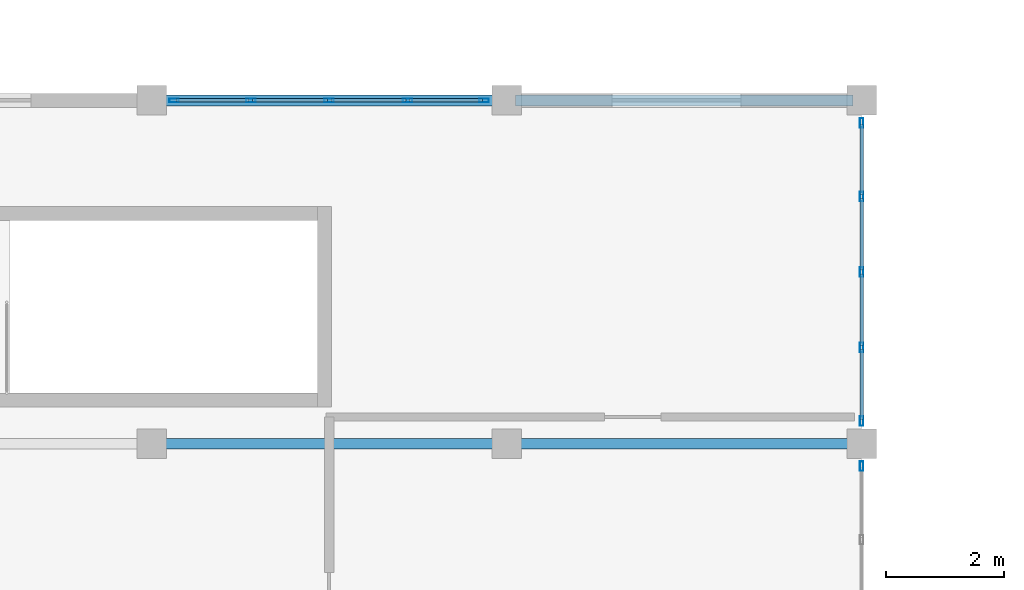
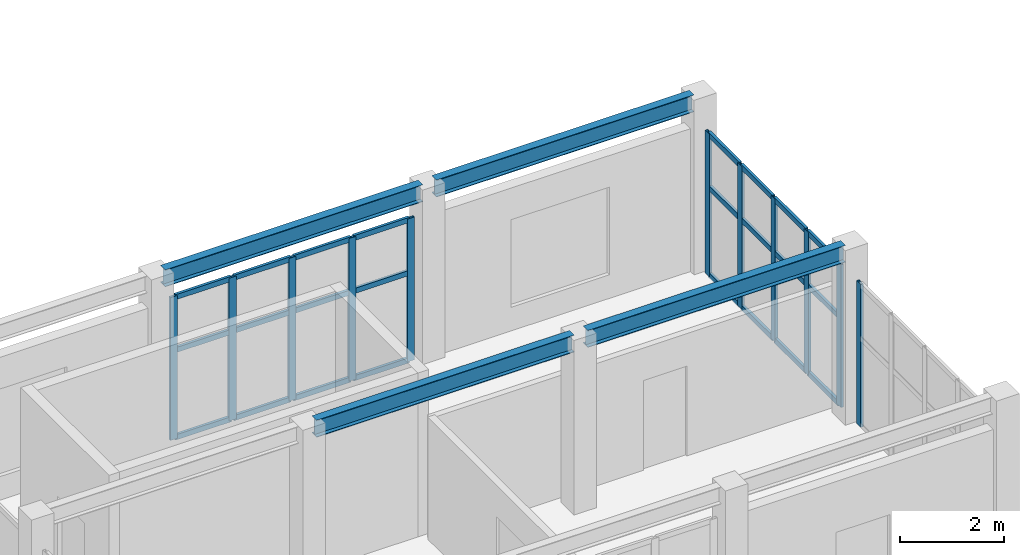
# One storey, part 26 of 128: 35 members, 4 beams, 3 elements without a shape of their own.
"""IFC4 building model written with IfcOpenShell, lengths in metres."""

from ifc_helpers import new_model, si_unit, direction, frame, origin, origin_2d, place, context, subcontext, project, spatial, hollow_rectangle, i_section, extrude, material, material_profile, profile_set, type_object, element, aggregate, save


model = new_model("IFC4")

# Units and contexts
model_context = context("Model", 3, precision=1e-05, world=origin(), true_north=direction((0.0, 1.0)))
body_context = subcontext(model_context, "Body", "Model", "MODEL_VIEW")
ifc_project = project(units=[si_unit("LENGTHUNIT", "METRE"), si_unit("AREAUNIT", "SQUARE_METRE"), si_unit("VOLUMEUNIT", "CUBIC_METRE"), si_unit("PLANEANGLEUNIT", "RADIAN"), si_unit("MASSUNIT", "GRAM", prefix="KILO")], contexts=[model_context])

# Site, building, storey
site_placement = place(None, origin())
site = spatial("IfcSite", under=ifc_project, at=site_placement, CompositionType="ELEMENT")
building_placement = place(site_placement, origin())
building = spatial("IfcBuilding", under=site, at=building_placement, Name="Tanwirah Colonnade Gardens", CompositionType="ELEMENT")
storey_placement = place(building_placement, frame((0.0, 0.0, 4.760009765625)))
storey = spatial("IfcBuildingStorey", under=building, at=storey_placement, Name="L01", CompositionType="ELEMENT", Elevation=4.760009765625)

# Curtain wall, members
ifc_material_1 = material(Name="Bronze-anodised aluminium and solar-control low-E glass", Category="aluminium")
curtain_wall_type = type_object("IfcCurtainWallType", Name="CW-SHP", PredefinedType="NOTDEFINED", material=ifc_material_1)
curtain_wall_1_placement = place(storey_placement, origin())
curtain_wall_1 = element("IfcCurtainWall", 1, at=curtain_wall_1_placement, inside=storey, type_object=curtain_wall_type, Name="Curtain Wall CW-SHP-E-L01-N-1", PredefinedType="NOTDEFINED")
ifc_material_2 = material(Name="Bronze-anodised aluminium", Category="aluminium")
ifc_material_profile_1 = material_profile(ifc_material_2, hollow_rectangle(XDim=0.06005859375, YDim=0.159912109375, WallThickness=0.00390625, at=origin_2d()), Name="CW-MUL 60x160x4")
ifc_profile_set_1 = profile_set([ifc_material_profile_1], Name="Bronze-anodised aluminium")
member_type_1 = type_object("IfcMemberType", Name="CWM-60x160", PredefinedType="MULLION", material=ifc_profile_set_1)
member_1_placement = place(storey_placement, frame((108.3798828125, 28.199951171875, 0.0), z_axis=(0.0, 0.0, 1.0), x_axis=(0.0, 1.0, 0.0)))
member_1 = element("IfcMember", 2, at=member_1_placement, type_object=member_type_1, Name="CW-SHP mullion 1", PredefinedType="MULLION", context=body_context, shape_type="SweptSolid", body=[
    extrude(hollow_rectangle(XDim=0.06005859375, YDim=0.159912109375, WallThickness=0.00390625, at=origin_2d()), origin(), (0.0, 0.0, 1.0), 3.340087890625),
])
member_2_placement = place(storey_placement, frame((109.675048828125, 28.199951171875, 0.0), z_axis=(0.0, 0.0, 1.0), x_axis=(0.0, 1.0, 0.0)))
member_2 = element("IfcMember", 3, at=member_2_placement, type_object=member_type_1, Name="CW-SHP mullion 2", PredefinedType="MULLION", context=body_context, shape_type="SweptSolid", body=[
    extrude(hollow_rectangle(XDim=0.06005859375, YDim=0.159912109375, WallThickness=0.00390625, at=origin_2d()), origin(), (0.0, 0.0, 1.0), 3.340087890625),
])
member_3_placement = place(storey_placement, frame((111.0, 28.199951171875, 0.0), z_axis=(0.0, 0.0, 1.0), x_axis=(0.0, 1.0, 0.0)))
member_3 = element("IfcMember", 4, at=member_3_placement, type_object=member_type_1, Name="CW-SHP mullion 3", PredefinedType="MULLION", context=body_context, shape_type="SweptSolid", body=[
    extrude(hollow_rectangle(XDim=0.06005859375, YDim=0.159912109375, WallThickness=0.00390625, at=origin_2d()), origin(), (0.0, 0.0, 1.0), 3.340087890625),
])
member_4_placement = place(storey_placement, frame((112.324951171875, 28.199951171875, 0.0), z_axis=(0.0, 0.0, 1.0), x_axis=(0.0, 1.0, 0.0)))
member_4 = element("IfcMember", 5, at=member_4_placement, type_object=member_type_1, Name="CW-SHP mullion 4", PredefinedType="MULLION", context=body_context, shape_type="SweptSolid", body=[
    extrude(hollow_rectangle(XDim=0.06005859375, YDim=0.159912109375, WallThickness=0.00390625, at=origin_2d()), origin(), (0.0, 0.0, 1.0), 3.340087890625),
])
member_5_placement = place(storey_placement, frame((113.6201171875, 28.199951171875, 0.0), z_axis=(0.0, 0.0, 1.0), x_axis=(0.0, 1.0, 0.0)))
member_5 = element("IfcMember", 6, at=member_5_placement, type_object=member_type_1, Name="CW-SHP mullion 5", PredefinedType="MULLION", context=body_context, shape_type="SweptSolid", body=[
    extrude(hollow_rectangle(XDim=0.06005859375, YDim=0.159912109375, WallThickness=0.00390625, at=origin_2d()), origin(), (0.0, 0.0, 1.0), 3.340087890625),
])

# Curtain wall, member
curtain_wall_2_placement = place(storey_placement, origin())
curtain_wall_2 = element("IfcCurtainWall", 7, at=curtain_wall_2_placement, inside=storey, type_object=curtain_wall_type, Name="Curtain Wall CW-SHP-E-L01-E-1", PredefinedType="NOTDEFINED")
member_6_placement = place(storey_placement, frame((120.0, 22.02001953125, 0.0), z_axis=(0.0, 0.0, 1.0), x_axis=(-1.0, 0.0, 0.0)))
member_6 = element("IfcMember", 8, at=member_6_placement, type_object=member_type_1, Name="CW-SHP mullion 5", PredefinedType="MULLION", context=body_context, shape_type="SweptSolid", body=[
    extrude(hollow_rectangle(XDim=0.06005859375, YDim=0.159912109375, WallThickness=0.00390625, at=origin_2d()), origin(), (0.0, 0.0, 1.0), 3.340087890625),
])
aggregate(curtain_wall_2, [member_6])

# Curtain wall, members
curtain_wall_3_placement = place(storey_placement, origin())
curtain_wall_3 = element("IfcCurtainWall", 9, at=curtain_wall_3_placement, inside=storey, type_object=curtain_wall_type, Name="Curtain Wall CW-SHP-E-L01-E-2", PredefinedType="NOTDEFINED")
member_7_placement = place(storey_placement, frame((120.0, 22.780029296875, 0.0), z_axis=(0.0, 0.0, 1.0), x_axis=(-1.0, 0.0, 0.0)))
member_7 = element("IfcMember", 10, at=member_7_placement, type_object=member_type_1, Name="CW-SHP mullion 1", PredefinedType="MULLION", context=body_context, shape_type="SweptSolid", body=[
    extrude(hollow_rectangle(XDim=0.06005859375, YDim=0.159912109375, WallThickness=0.00390625, at=origin_2d()), origin(), (0.0, 0.0, 1.0), 3.340087890625),
])
member_8_placement = place(storey_placement, frame((120.0, 24.02490234375, 0.0), z_axis=(0.0, 0.0, 1.0), x_axis=(-1.0, 0.0, 0.0)))
member_8 = element("IfcMember", 11, at=member_8_placement, type_object=member_type_1, Name="CW-SHP mullion 2", PredefinedType="MULLION", context=body_context, shape_type="SweptSolid", body=[
    extrude(hollow_rectangle(XDim=0.06005859375, YDim=0.159912109375, WallThickness=0.00390625, at=origin_2d()), origin(), (0.0, 0.0, 1.0), 3.340087890625),
])
member_9_placement = place(storey_placement, frame((120.0, 25.300048828125, 0.0), z_axis=(0.0, 0.0, 1.0), x_axis=(-1.0, 0.0, 0.0)))
member_9 = element("IfcMember", 12, at=member_9_placement, type_object=member_type_1, Name="CW-SHP mullion 3", PredefinedType="MULLION", context=body_context, shape_type="SweptSolid", body=[
    extrude(hollow_rectangle(XDim=0.06005859375, YDim=0.159912109375, WallThickness=0.00390625, at=origin_2d()), origin(), (0.0, 0.0, 1.0), 3.340087890625),
])
member_10_placement = place(storey_placement, frame((120.0, 26.574951171875, 0.0), z_axis=(0.0, 0.0, 1.0), x_axis=(-1.0, 0.0, 0.0)))
member_10 = element("IfcMember", 13, at=member_10_placement, type_object=member_type_1, Name="CW-SHP mullion 4", PredefinedType="MULLION", context=body_context, shape_type="SweptSolid", body=[
    extrude(hollow_rectangle(XDim=0.06005859375, YDim=0.159912109375, WallThickness=0.00390625, at=origin_2d()), origin(), (0.0, 0.0, 1.0), 3.340087890625),
])
member_11_placement = place(storey_placement, frame((120.0, 27.820068359375, 0.0), z_axis=(0.0, 0.0, 1.0), x_axis=(-1.0, 0.0, 0.0)))
member_11 = element("IfcMember", 14, at=member_11_placement, type_object=member_type_1, Name="CW-SHP mullion 5", PredefinedType="MULLION", context=body_context, shape_type="SweptSolid", body=[
    extrude(hollow_rectangle(XDim=0.06005859375, YDim=0.159912109375, WallThickness=0.00390625, at=origin_2d()), origin(), (0.0, 0.0, 1.0), 3.340087890625),
])

# Member
ifc_material_profile_2 = material_profile(ifc_material_2, hollow_rectangle(XDim=0.06005859375, YDim=0.1201171875, WallThickness=0.00390625, at=origin_2d()), Name="CW-TRN 60x120x4")
ifc_profile_set_2 = profile_set([ifc_material_profile_2], Name="Bronze-anodised aluminium")
member_type_2 = type_object("IfcMemberType", Name="CWT-60x120", PredefinedType="USERDEFINED", material=ifc_profile_set_2)
member_12_placement = place(storey_placement, frame((108.409912109375, 28.199951171875, 0.030029296875), z_axis=(1.0, 0.0, 0.0), x_axis=(0.0, 1.0, 0.0)))
member_12 = element("IfcMember", 15, at=member_12_placement, type_object=member_type_2, Name="CW-SHP transom 1.1", ObjectType="TRANSOM", PredefinedType="USERDEFINED", context=body_context, shape_type="SweptSolid", body=[
    extrude(hollow_rectangle(XDim=0.06005859375, YDim=0.1201171875, WallThickness=0.00390625, at=origin_2d()), origin(), (0.0, 0.0, 1.0), 1.235107421875),
])

member_13_placement = place(storey_placement, frame((108.409912109375, 28.199951171875, 2.07080078125), z_axis=(1.0, 0.0, 0.0), x_axis=(0.0, 1.0, 0.0)))
member_13 = element("IfcMember", 16, at=member_13_placement, type_object=member_type_2, Name="CW-SHP transom 1.2", ObjectType="TRANSOM", PredefinedType="USERDEFINED", context=body_context, shape_type="SweptSolid", body=[
    extrude(hollow_rectangle(XDim=0.06005859375, YDim=0.1201171875, WallThickness=0.00390625, at=origin_2d()), origin(), (0.0, 0.0, 1.0), 1.235107421875),
])

member_14_placement = place(storey_placement, frame((108.409912109375, 28.199951171875, 3.31005859375), z_axis=(1.0, 0.0, 0.0), x_axis=(0.0, 1.0, 0.0)))
member_14 = element("IfcMember", 17, at=member_14_placement, type_object=member_type_2, Name="CW-SHP transom 1.3", ObjectType="TRANSOM", PredefinedType="USERDEFINED", context=body_context, shape_type="SweptSolid", body=[
    extrude(hollow_rectangle(XDim=0.06005859375, YDim=0.1201171875, WallThickness=0.00390625, at=origin_2d()), origin(), (0.0, 0.0, 1.0), 1.235107421875),
])

member_15_placement = place(storey_placement, frame((109.705078125, 28.199951171875, 0.030029296875), z_axis=(1.0, 0.0, 0.0), x_axis=(0.0, 1.0, 0.0)))
member_15 = element("IfcMember", 18, at=member_15_placement, type_object=member_type_2, Name="CW-SHP transom 2.1", ObjectType="TRANSOM", PredefinedType="USERDEFINED", context=body_context, shape_type="SweptSolid", body=[
    extrude(hollow_rectangle(XDim=0.06005859375, YDim=0.1201171875, WallThickness=0.00390625, at=origin_2d()), origin(), (0.0, 0.0, 1.0), 1.264892578125),
])

member_16_placement = place(storey_placement, frame((109.705078125, 28.199951171875, 2.07080078125), z_axis=(1.0, 0.0, 0.0), x_axis=(0.0, 1.0, 0.0)))
member_16 = element("IfcMember", 19, at=member_16_placement, type_object=member_type_2, Name="CW-SHP transom 2.2", ObjectType="TRANSOM", PredefinedType="USERDEFINED", context=body_context, shape_type="SweptSolid", body=[
    extrude(hollow_rectangle(XDim=0.06005859375, YDim=0.1201171875, WallThickness=0.00390625, at=origin_2d()), origin(), (0.0, 0.0, 1.0), 1.264892578125),
])

member_17_placement = place(storey_placement, frame((109.705078125, 28.199951171875, 3.31005859375), z_axis=(1.0, 0.0, 0.0), x_axis=(0.0, 1.0, 0.0)))
member_17 = element("IfcMember", 20, at=member_17_placement, type_object=member_type_2, Name="CW-SHP transom 2.3", ObjectType="TRANSOM", PredefinedType="USERDEFINED", context=body_context, shape_type="SweptSolid", body=[
    extrude(hollow_rectangle(XDim=0.06005859375, YDim=0.1201171875, WallThickness=0.00390625, at=origin_2d()), origin(), (0.0, 0.0, 1.0), 1.264892578125),
])

member_18_placement = place(storey_placement, frame((111.030029296875, 28.199951171875, 0.030029296875), z_axis=(1.0, 0.0, 0.0), x_axis=(0.0, 1.0, 0.0)))
member_18 = element("IfcMember", 21, at=member_18_placement, type_object=member_type_2, Name="CW-SHP transom 3.1", ObjectType="TRANSOM", PredefinedType="USERDEFINED", context=body_context, shape_type="SweptSolid", body=[
    extrude(hollow_rectangle(XDim=0.06005859375, YDim=0.1201171875, WallThickness=0.00390625, at=origin_2d()), origin(), (0.0, 0.0, 1.0), 1.264892578125),
])

member_19_placement = place(storey_placement, frame((111.030029296875, 28.199951171875, 2.07080078125), z_axis=(1.0, 0.0, 0.0), x_axis=(0.0, 1.0, 0.0)))
member_19 = element("IfcMember", 22, at=member_19_placement, type_object=member_type_2, Name="CW-SHP transom 3.2", ObjectType="TRANSOM", PredefinedType="USERDEFINED", context=body_context, shape_type="SweptSolid", body=[
    extrude(hollow_rectangle(XDim=0.06005859375, YDim=0.1201171875, WallThickness=0.00390625, at=origin_2d()), origin(), (0.0, 0.0, 1.0), 1.264892578125),
])

member_20_placement = place(storey_placement, frame((111.030029296875, 28.199951171875, 3.31005859375), z_axis=(1.0, 0.0, 0.0), x_axis=(0.0, 1.0, 0.0)))
member_20 = element("IfcMember", 23, at=member_20_placement, type_object=member_type_2, Name="CW-SHP transom 3.3", ObjectType="TRANSOM", PredefinedType="USERDEFINED", context=body_context, shape_type="SweptSolid", body=[
    extrude(hollow_rectangle(XDim=0.06005859375, YDim=0.1201171875, WallThickness=0.00390625, at=origin_2d()), origin(), (0.0, 0.0, 1.0), 1.264892578125),
])

member_21_placement = place(storey_placement, frame((112.35498046875, 28.199951171875, 0.030029296875), z_axis=(1.0, 0.0, 0.0), x_axis=(0.0, 1.0, 0.0)))
member_21 = element("IfcMember", 24, at=member_21_placement, type_object=member_type_2, Name="CW-SHP transom 4.1", ObjectType="TRANSOM", PredefinedType="USERDEFINED", context=body_context, shape_type="SweptSolid", body=[
    extrude(hollow_rectangle(XDim=0.06005859375, YDim=0.1201171875, WallThickness=0.00390625, at=origin_2d()), origin(), (0.0, 0.0, 1.0), 1.235107421875),
])

member_22_placement = place(storey_placement, frame((112.35498046875, 28.199951171875, 2.07080078125), z_axis=(1.0, 0.0, 0.0), x_axis=(0.0, 1.0, 0.0)))
member_22 = element("IfcMember", 25, at=member_22_placement, type_object=member_type_2, Name="CW-SHP transom 4.2", ObjectType="TRANSOM", PredefinedType="USERDEFINED", context=body_context, shape_type="SweptSolid", body=[
    extrude(hollow_rectangle(XDim=0.06005859375, YDim=0.1201171875, WallThickness=0.00390625, at=origin_2d()), origin(), (0.0, 0.0, 1.0), 1.235107421875),
])

member_23_placement = place(storey_placement, frame((112.35498046875, 28.199951171875, 3.31005859375), z_axis=(1.0, 0.0, 0.0), x_axis=(0.0, 1.0, 0.0)))
member_23 = element("IfcMember", 26, at=member_23_placement, type_object=member_type_2, Name="CW-SHP transom 4.3", ObjectType="TRANSOM", PredefinedType="USERDEFINED", context=body_context, shape_type="SweptSolid", body=[
    extrude(hollow_rectangle(XDim=0.06005859375, YDim=0.1201171875, WallThickness=0.00390625, at=origin_2d()), origin(), (0.0, 0.0, 1.0), 1.235107421875),
])

aggregate(curtain_wall_1, [member_1, member_2, member_3, member_4, member_5, member_12, member_13, member_14, member_15, member_16, member_17, member_18, member_19, member_20, member_21, member_22, member_23])

member_24_placement = place(storey_placement, frame((120.0, 22.81005859375, 0.030029296875), z_axis=(0.0, 1.0, 0.0), x_axis=(-1.0, 0.0, 0.0)))
member_24 = element("IfcMember", 27, at=member_24_placement, type_object=member_type_2, Name="CW-SHP transom 1.1", ObjectType="TRANSOM", PredefinedType="USERDEFINED", context=body_context, shape_type="SweptSolid", body=[
    extrude(hollow_rectangle(XDim=0.06005859375, YDim=0.1201171875, WallThickness=0.00390625, at=origin_2d()), origin(), (0.0, 0.0, 1.0), 1.18505859375),
])

member_25_placement = place(storey_placement, frame((120.0, 22.81005859375, 2.07080078125), z_axis=(0.0, 1.0, 0.0), x_axis=(-1.0, 0.0, 0.0)))
member_25 = element("IfcMember", 28, at=member_25_placement, type_object=member_type_2, Name="CW-SHP transom 1.2", ObjectType="TRANSOM", PredefinedType="USERDEFINED", context=body_context, shape_type="SweptSolid", body=[
    extrude(hollow_rectangle(XDim=0.06005859375, YDim=0.1201171875, WallThickness=0.00390625, at=origin_2d()), origin(), (0.0, 0.0, 1.0), 1.18505859375),
])

member_26_placement = place(storey_placement, frame((120.0, 22.81005859375, 3.31005859375), z_axis=(0.0, 1.0, 0.0), x_axis=(-1.0, 0.0, 0.0)))
member_26 = element("IfcMember", 29, at=member_26_placement, type_object=member_type_2, Name="CW-SHP transom 1.3", ObjectType="TRANSOM", PredefinedType="USERDEFINED", context=body_context, shape_type="SweptSolid", body=[
    extrude(hollow_rectangle(XDim=0.06005859375, YDim=0.1201171875, WallThickness=0.00390625, at=origin_2d()), origin(), (0.0, 0.0, 1.0), 1.18505859375),
])

member_27_placement = place(storey_placement, frame((120.0, 24.054931640625, 0.030029296875), z_axis=(0.0, 1.0, 0.0), x_axis=(-1.0, 0.0, 0.0)))
member_27 = element("IfcMember", 30, at=member_27_placement, type_object=member_type_2, Name="CW-SHP transom 2.1", ObjectType="TRANSOM", PredefinedType="USERDEFINED", context=body_context, shape_type="SweptSolid", body=[
    extrude(hollow_rectangle(XDim=0.06005859375, YDim=0.1201171875, WallThickness=0.00390625, at=origin_2d()), origin(), (0.0, 0.0, 1.0), 1.215087890625),
])

member_28_placement = place(storey_placement, frame((120.0, 24.054931640625, 2.07080078125), z_axis=(0.0, 1.0, 0.0), x_axis=(-1.0, 0.0, 0.0)))
member_28 = element("IfcMember", 31, at=member_28_placement, type_object=member_type_2, Name="CW-SHP transom 2.2", ObjectType="TRANSOM", PredefinedType="USERDEFINED", context=body_context, shape_type="SweptSolid", body=[
    extrude(hollow_rectangle(XDim=0.06005859375, YDim=0.1201171875, WallThickness=0.00390625, at=origin_2d()), origin(), (0.0, 0.0, 1.0), 1.215087890625),
])

member_29_placement = place(storey_placement, frame((120.0, 24.054931640625, 3.31005859375), z_axis=(0.0, 1.0, 0.0), x_axis=(-1.0, 0.0, 0.0)))
member_29 = element("IfcMember", 32, at=member_29_placement, type_object=member_type_2, Name="CW-SHP transom 2.3", ObjectType="TRANSOM", PredefinedType="USERDEFINED", context=body_context, shape_type="SweptSolid", body=[
    extrude(hollow_rectangle(XDim=0.06005859375, YDim=0.1201171875, WallThickness=0.00390625, at=origin_2d()), origin(), (0.0, 0.0, 1.0), 1.215087890625),
])

member_30_placement = place(storey_placement, frame((120.0, 25.330078125, 0.030029296875), z_axis=(0.0, 1.0, 0.0), x_axis=(-1.0, 0.0, 0.0)))
member_30 = element("IfcMember", 33, at=member_30_placement, type_object=member_type_2, Name="CW-SHP transom 3.1", ObjectType="TRANSOM", PredefinedType="USERDEFINED", context=body_context, shape_type="SweptSolid", body=[
    extrude(hollow_rectangle(XDim=0.06005859375, YDim=0.1201171875, WallThickness=0.00390625, at=origin_2d()), origin(), (0.0, 0.0, 1.0), 1.21484375),
])

member_31_placement = place(storey_placement, frame((120.0, 25.330078125, 2.07080078125), z_axis=(0.0, 1.0, 0.0), x_axis=(-1.0, 0.0, 0.0)))
member_31 = element("IfcMember", 34, at=member_31_placement, type_object=member_type_2, Name="CW-SHP transom 3.2", ObjectType="TRANSOM", PredefinedType="USERDEFINED", context=body_context, shape_type="SweptSolid", body=[
    extrude(hollow_rectangle(XDim=0.06005859375, YDim=0.1201171875, WallThickness=0.00390625, at=origin_2d()), origin(), (0.0, 0.0, 1.0), 1.21484375),
])

member_32_placement = place(storey_placement, frame((120.0, 25.330078125, 3.31005859375), z_axis=(0.0, 1.0, 0.0), x_axis=(-1.0, 0.0, 0.0)))
member_32 = element("IfcMember", 35, at=member_32_placement, type_object=member_type_2, Name="CW-SHP transom 3.3", ObjectType="TRANSOM", PredefinedType="USERDEFINED", context=body_context, shape_type="SweptSolid", body=[
    extrude(hollow_rectangle(XDim=0.06005859375, YDim=0.1201171875, WallThickness=0.00390625, at=origin_2d()), origin(), (0.0, 0.0, 1.0), 1.21484375),
])

member_33_placement = place(storey_placement, frame((120.0, 26.60498046875, 0.030029296875), z_axis=(0.0, 1.0, 0.0), x_axis=(-1.0, 0.0, 0.0)))
member_33 = element("IfcMember", 36, at=member_33_placement, type_object=member_type_2, Name="CW-SHP transom 4.1", ObjectType="TRANSOM", PredefinedType="USERDEFINED", context=body_context, shape_type="SweptSolid", body=[
    extrude(hollow_rectangle(XDim=0.06005859375, YDim=0.1201171875, WallThickness=0.00390625, at=origin_2d()), origin(), (0.0, 0.0, 1.0), 1.18505859375),
])

member_34_placement = place(storey_placement, frame((120.0, 26.60498046875, 2.07080078125), z_axis=(0.0, 1.0, 0.0), x_axis=(-1.0, 0.0, 0.0)))
member_34 = element("IfcMember", 37, at=member_34_placement, type_object=member_type_2, Name="CW-SHP transom 4.2", ObjectType="TRANSOM", PredefinedType="USERDEFINED", context=body_context, shape_type="SweptSolid", body=[
    extrude(hollow_rectangle(XDim=0.06005859375, YDim=0.1201171875, WallThickness=0.00390625, at=origin_2d()), origin(), (0.0, 0.0, 1.0), 1.18505859375),
])

member_35_placement = place(storey_placement, frame((120.0, 26.60498046875, 3.31005859375), z_axis=(0.0, 1.0, 0.0), x_axis=(-1.0, 0.0, 0.0)))
member_35 = element("IfcMember", 38, at=member_35_placement, type_object=member_type_2, Name="CW-SHP transom 4.3", ObjectType="TRANSOM", PredefinedType="USERDEFINED", context=body_context, shape_type="SweptSolid", body=[
    extrude(hollow_rectangle(XDim=0.06005859375, YDim=0.1201171875, WallThickness=0.00390625, at=origin_2d()), origin(), (0.0, 0.0, 1.0), 1.18505859375),
])

aggregate(curtain_wall_3, [member_7, member_8, member_9, member_10, member_11, member_24, member_25, member_26, member_27, member_28, member_29, member_30, member_31, member_32, member_33, member_34, member_35])

# Beams
ifc_material_3 = material(Name="Steel S355", Category="steel")
ifc_material_profile_3 = material_profile(ifc_material_3, i_section(OverallWidth=0.179931640625, OverallDepth=0.39990234375, WebThickness=0.008544921875, FlangeThickness=0.013427734375, at=origin_2d()), Name="IPE 400")
ifc_profile_set_3 = profile_set([ifc_material_profile_3], Name="Steel S355")
beam_type = type_object("IfcBeamType", Name="SBM-IPE330", PredefinedType="BEAM", material=ifc_profile_set_3)
for number, where, z_axis, x_axis, name in (
    (39, (108.14990234375, 22.39990234375, 3.8798828125), (1.0, 0.0, 0.0), (0.0, 1.0, 0.0), "Boulevard Shops E L01 Beam 1.2"),
    (40, (114.14990234375, 22.39990234375, 3.8798828125), (1.0, 0.0, 0.0), (0.0, 1.0, 0.0), "Boulevard Shops E L01 Beam 2.2"),
    (41, (108.14990234375, 28.199951171875, 3.8798828125), (1.0, 0.0, 0.0), (0.0, 1.0, 0.0), "Boulevard Shops E L01 Beam 1.3"),
    (42, (114.14990234375, 28.199951171875, 3.8798828125), (1.0, 0.0, 0.0), (0.0, 1.0, 0.0), "Boulevard Shops E L01 Beam 2.3"),
):
    element("IfcBeam", number, at=place(storey_placement, frame(where, z_axis=z_axis, x_axis=x_axis)), inside=storey, type_object=beam_type, Name=name, PredefinedType="BEAM", context=body_context, shape_type="SweptSolid", body=[
        extrude(i_section(OverallWidth=0.179931640625, OverallDepth=0.39990234375, WebThickness=0.008544921875, FlangeThickness=0.013427734375, at=origin_2d()), origin(), (0.0, 0.0, 1.0), 5.7001953125),
    ])

save(model, "model.ifc")
